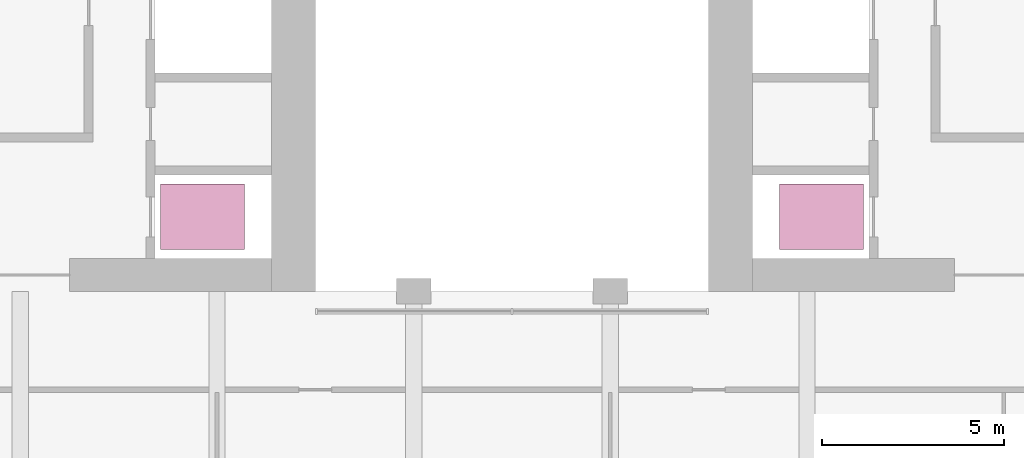
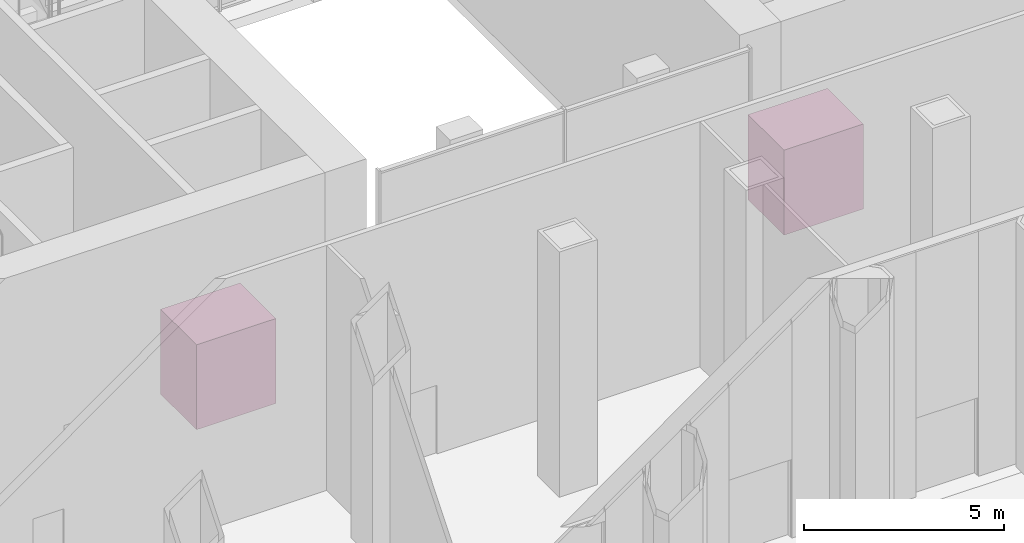
# One storey, part 20 of 20: 2 transport elements.
"""IFC4 building model written with IfcOpenShell, lengths in metres."""

from ifc_helpers import new_model, si_unit, direction, frame, origin, origin_2d, place, context, subcontext, project, spatial, rectangle, extrude, material, type_object, element, save


model = new_model("IFC4")

# Units and contexts
model_context = context("Model", 3, precision=1e-05, world=origin(), true_north=direction((0.0, 1.0)))
body_context = subcontext(model_context, "Body", "Model", "MODEL_VIEW")
ifc_project = project(units=[si_unit("LENGTHUNIT", "METRE"), si_unit("AREAUNIT", "SQUARE_METRE"), si_unit("VOLUMEUNIT", "CUBIC_METRE"), si_unit("PLANEANGLEUNIT", "RADIAN"), si_unit("MASSUNIT", "GRAM", prefix="KILO")], contexts=[model_context])

# Site, building, storey
site_placement = place(None, origin())
site = spatial("IfcSite", under=ifc_project, at=site_placement, CompositionType="ELEMENT")
building_placement = place(site_placement, origin())
building = spatial("IfcBuilding", under=site, at=building_placement, Name="Tabaq Tower and Sports Hall", CompositionType="ELEMENT")
storey_placement = place(building_placement, frame((0.0, 0.0, 130.60009765625)))
storey = spatial("IfcBuildingStorey", under=building, at=storey_placement, Name="L31", CompositionType="ELEMENT", Elevation=130.60009765625)

# Transport elements
ifc_material = material(Name="Mid-rise passenger lift")
transport_element_type = type_object("IfcTransportElementType", Name="Mid-rise passenger lift", PredefinedType="ELEVATOR", material=ifc_material)
for number, where, z_axis, x_axis, name in (
    (1, (15.800048828125, 18.25, -0.000244140625), (0.0, 0.0, 1.0), (1.0, 0.0, 0.0), "Lift MR1 car"),
    (2, (32.800048828125, 18.25, -0.000244140625), (0.0, 0.0, 1.0), (1.0, 0.0, 0.0), "Lift MR2 car"),
):
    element("IfcTransportElement", number, at=place(storey_placement, frame(where, z_axis=z_axis, x_axis=x_axis)), inside=storey, type_object=transport_element_type, Name=name, PredefinedType="ELEVATOR", context=body_context, shape_type="SweptSolid", body=[
        extrude(rectangle(XDim=2.300048828125, YDim=1.800048828125, at=origin_2d()), origin(), (0.0, 0.0, 1.0), 2.60009765625),
    ])

save(model, "model.ifc")
